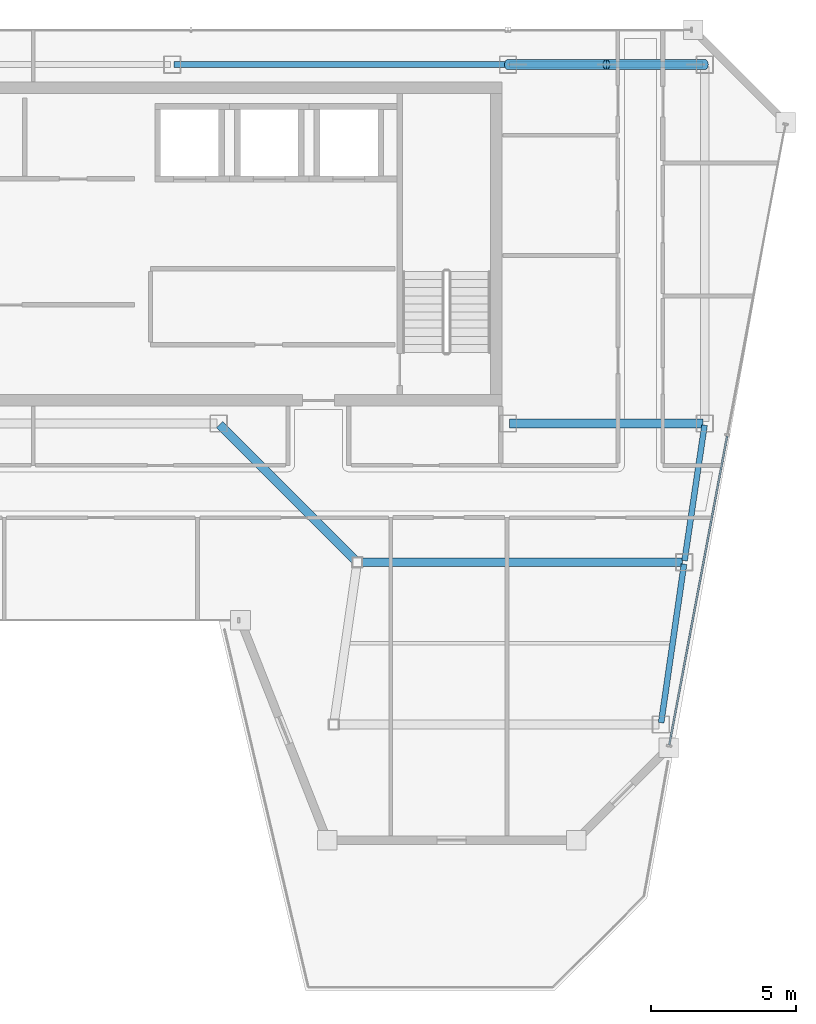
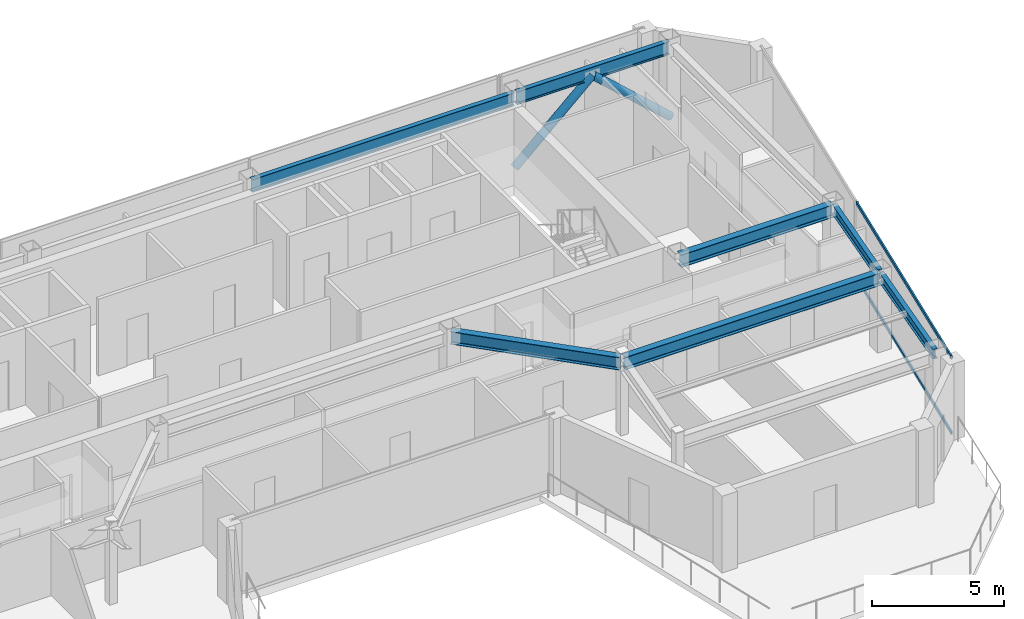
# One storey, part 10 of 25: 7 beams, 4 members, 1 element without a shape of its own.
"""IFC4 building model written with IfcOpenShell, lengths in metres."""

from ifc_helpers import new_model, si_unit, direction, frame, origin, origin_2d, place, context, subcontext, project, spatial, hollow_rectangle, hollow_circle, i_section, extrude, material, material_profile, profile_set, type_object, element, aggregate, save


model = new_model("IFC4")

# Units and contexts
model_context = context("Model", 3, precision=1e-05, world=origin(), true_north=direction((0.0, 1.0)))
body_context = subcontext(model_context, "Body", "Model", "MODEL_VIEW")
ifc_project = project(units=[si_unit("LENGTHUNIT", "METRE"), si_unit("AREAUNIT", "SQUARE_METRE"), si_unit("VOLUMEUNIT", "CUBIC_METRE"), si_unit("PLANEANGLEUNIT", "RADIAN"), si_unit("MASSUNIT", "GRAM", prefix="KILO")], contexts=[model_context])

# Site, building, storey
site_placement = place(None, origin())
site = spatial("IfcSite", under=ifc_project, at=site_placement, CompositionType="ELEMENT")
building_placement = place(site_placement, origin())
building = spatial("IfcBuilding", under=site, at=building_placement, Name="Saevonmaru Cultural Tower", CompositionType="ELEMENT")
storey_placement = place(building_placement, frame((0.0, 0.0, 276.199951171875)))
storey = spatial("IfcBuildingStorey", under=building, at=storey_placement, Name="L65", CompositionType="ELEMENT", Elevation=276.199951171875)

# Beams
ifc_material_1 = material(Name="Steel SM355", Category="steel")
ifc_material_profile_1 = material_profile(ifc_material_1, i_section(OverallWidth=0.300048828125, OverallDepth=0.587890625, WebThickness=0.011962890625, FlangeThickness=0.02001953125, FilletRadius=0.02392578125, at=origin_2d()), Name="H-588x300x12x20")
ifc_profile_set_1 = profile_set([ifc_material_profile_1], Name="Steel SM355")
beam_type_1 = type_object("IfcBeamType", Name="BM-G-H588", PredefinedType="BEAM", material=ifc_profile_set_1)
beam_1_placement = place(storey_placement, frame((46.4599609375, 42.39990234375, 3.256103515625), z_axis=(1.0, 0.0, 0.0), x_axis=(0.0, 1.0, 0.0)))
element("IfcBeam", 1, at=beam_1_placement, inside=storey, type_object=beam_type_1, Name="L65 Core South Girder 5", PredefinedType="BEAM", context=body_context, shape_type="SweptSolid", body=[
    extrude(i_section(OverallWidth=0.300048828125, OverallDepth=0.587890625, WebThickness=0.011962890625, FlangeThickness=0.02001953125, FilletRadius=0.02392578125, at=origin_2d()), origin(), (0.0, 0.0, 1.0), 6.679931640625),
])
beam_2_placement = place(storey_placement, frame((41.149658203125, 37.642578125, 3.256103515625), z_axis=(-0.706538566564, 0.707674539572, 0.0), x_axis=(-0.707674539572, -0.706538566564, 0.0)))
element("IfcBeam", 2, at=beam_2_placement, inside=storey, type_object=beam_type_1, Name="L65 East Atrium Girder 2", PredefinedType="BEAM", context=body_context, shape_type="SweptSolid", body=[
    extrude(i_section(OverallWidth=0.300048828125, OverallDepth=0.587890625, WebThickness=0.011962890625, FlangeThickness=0.02001953125, FilletRadius=0.02392578125, at=origin_2d()), origin(), (0.0, 0.0, 1.0), 6.662353515625),
])
beam_3_placement = place(storey_placement, frame((41.251953125, 37.60009765625, 3.256103515625), z_axis=(1.0, 0.0, 0.0), x_axis=(0.0, 1.0, 0.0)))
element("IfcBeam", 3, at=beam_3_placement, inside=storey, type_object=beam_type_1, Name="L65 East Wing Transverse Girder 2", PredefinedType="BEAM", context=body_context, shape_type="SweptSolid", body=[
    extrude(i_section(OverallWidth=0.300048828125, OverallDepth=0.587890625, WebThickness=0.011962890625, FlangeThickness=0.02001953125, FilletRadius=0.02392578125, at=origin_2d()), origin(), (0.0, 0.0, 1.0), 11.179931640625),
])
ifc_material_profile_2 = material_profile(ifc_material_1, i_section(OverallWidth=0.199951171875, OverallDepth=0.449951171875, WebThickness=0.009033203125, FlangeThickness=0.013916015625, FilletRadius=0.01806640625, at=origin_2d()), Name="H-450x200x9x14")
ifc_profile_set_2 = profile_set([ifc_material_profile_2], Name="Steel SM355")
beam_type_2 = type_object("IfcBeamType", Name="BM-SP-H450", PredefinedType="SPANDREL", material=ifc_profile_set_2)
beam_4_placement = place(storey_placement, frame((51.691650390625, 32.059326171875, 3.324951171875), z_axis=(0.142964121327, 0.989727871697, 0.0), x_axis=(-0.989727871697, 0.142964121327, 0.0)))
element("IfcBeam", 4, at=beam_4_placement, inside=storey, type_object=beam_type_2, Name="L65 East Splayed Spandrel 1", PredefinedType="SPANDREL", context=body_context, shape_type="SweptSolid", body=[
    extrude(i_section(OverallWidth=0.199951171875, OverallDepth=0.449951171875, WebThickness=0.009033203125, FlangeThickness=0.013916015625, FilletRadius=0.01806640625, at=origin_2d()), origin(), (0.0, 0.0, 1.0), 5.5380859375),
])
beam_5_placement = place(storey_placement, frame((52.500732421875, 37.659423828125, 3.324951171875), z_axis=(0.145912860028, 0.989297446312, 0.0), x_axis=(-0.989297446312, 0.145912860028, 0.0)))
element("IfcBeam", 5, at=beam_5_placement, inside=storey, type_object=beam_type_2, Name="L65 East Splayed Spandrel 2", PredefinedType="SPANDREL", context=body_context, shape_type="SweptSolid", body=[
    extrude(i_section(OverallWidth=0.199951171875, OverallDepth=0.449951171875, WebThickness=0.009033203125, FlangeThickness=0.013916015625, FilletRadius=0.01806640625, at=origin_2d()), origin(), (0.0, 0.0, 1.0), 4.731689453125),
])
ifc_material_profile_3 = material_profile(ifc_material_1, i_section(OverallWidth=0.199951171875, OverallDepth=0.60009765625, WebThickness=0.010986328125, FlangeThickness=0.01708984375, FilletRadius=0.02197265625, at=origin_2d()), Name="H-600x200x11x17")
ifc_profile_set_3 = profile_set([ifc_material_profile_3], Name="Steel SM355")
beam_type_3 = type_object("IfcBeamType", Name="BM-SP-H600", PredefinedType="SPANDREL", material=ifc_profile_set_3)
beam_6_placement = place(storey_placement, frame((34.860107421875, 54.800048828125, 3.25), z_axis=(1.0, 0.0, 0.0), x_axis=(0.0, 1.0, 0.0)))
element("IfcBeam", 6, at=beam_6_placement, inside=storey, type_object=beam_type_3, Name="L65 North Spine Girder 4", PredefinedType="SPANDREL", context=body_context, shape_type="SweptSolid", body=[
    extrude(i_section(OverallWidth=0.199951171875, OverallDepth=0.60009765625, WebThickness=0.010986328125, FlangeThickness=0.01708984375, FilletRadius=0.02197265625, at=origin_2d()), origin(), (0.0, 0.0, 1.0), 11.47998046875),
])
beam_7_placement = place(storey_placement, frame((46.4599609375, 54.800048828125, 3.25), z_axis=(1.0, 0.0, 0.0), x_axis=(0.0, 1.0, 0.0)))
element("IfcBeam", 7, at=beam_7_placement, inside=storey, type_object=beam_type_3, Name="L65 North Spine Girder 5", PredefinedType="SPANDREL", context=body_context, shape_type="SweptSolid", body=[
    extrude(i_section(OverallWidth=0.199951171875, OverallDepth=0.60009765625, WebThickness=0.010986328125, FlangeThickness=0.01708984375, FilletRadius=0.02197265625, at=origin_2d()), origin(), (0.0, 0.0, 1.0), 6.679931640625),
])

# Members
ifc_material_profile_4 = material_profile(ifc_material_1, hollow_circle(Radius=0.177734375, WallThickness=0.01611328125, at=origin_2d()), Name="CHS-355.6x16")
ifc_profile_set_4 = profile_set([ifc_material_profile_4], Name="Steel SM355")
member_type_1 = type_object("IfcMemberType", Name="MB-PBR-CHS356", PredefinedType="BRACE", material=ifc_profile_set_4)
member_1_placement = place(storey_placement, frame((46.39990234375, 54.800048828125, 0.02001953125), z_axis=(0.738959728749, 0.0, 0.673749596873), x_axis=(0.0, 1.0, 0.0)))
element("IfcMember", 8, at=member_1_placement, inside=storey, type_object=member_type_1, Name="L65 Perimeter Braced-Tube Diagonal EN1", PredefinedType="BRACE", context=body_context, shape_type="SweptSolid", body=[
    extrude(hollow_circle(Radius=0.177734375, WallThickness=0.01611328125, at=origin_2d()), origin(), (0.0, 0.0, 1.0), 4.601318359375),
])
member_2_placement = place(storey_placement, frame((53.199951171875, 54.800048828125, 0.02001953125), z_axis=(-0.738935641579, 0.0, 0.673776014417), x_axis=(0.0, -1.0, 0.0)))
element("IfcMember", 9, at=member_2_placement, inside=storey, type_object=member_type_1, Name="L65 Perimeter Braced-Tube Diagonal EN2", PredefinedType="BRACE", context=body_context, shape_type="SweptSolid", body=[
    extrude(hollow_circle(Radius=0.177734375, WallThickness=0.01611328125, at=origin_2d()), origin(), (0.0, 0.0, 1.0), 4.60107421875),
])

# Curtain wall, members
ifc_material_2 = material(Name="Satin Bronze Anodised Aluminium", Category="aluminium")
curtain_wall_type = type_object("IfcCurtainWallType", Name="CW-TYP-B", PredefinedType="NOTDEFINED", material=ifc_material_2)
curtain_wall_placement = place(storey_placement, origin())
curtain_wall = element("IfcCurtainWall", 10, at=curtain_wall_placement, inside=storey, type_object=curtain_wall_type, Name="L65 Unitised Curtain Wall E8", PredefinedType="NOTDEFINED")
ifc_material_profile_5 = material_profile(ifc_material_2, hollow_rectangle(XDim=0.06494140625, YDim=0.14990234375, WallThickness=0.00390625, at=origin_2d()), Name="ALU-TRAN-150x65x4")
ifc_profile_set_5 = profile_set([ifc_material_profile_5], Name="Satin Bronze Anodised Aluminium")
member_type_2 = type_object("IfcMemberType", Name="TR-CW-150x65", PredefinedType="USERDEFINED", material=ifc_profile_set_5)
member_3_placement = place(storey_placement, frame((51.97265625, 31.291015625, 0.032470703125), z_axis=(0.184051053742, 0.982916684982, 0.0), x_axis=(-0.982916684982, 0.184051053742, 0.0)))
member_3 = element("IfcMember", 11, at=member_3_placement, type_object=member_type_2, Name="CW-TW-L65-E8 transom 1.1", ObjectType="TRANSOM", PredefinedType="USERDEFINED", context=body_context, shape_type="SweptSolid", body=[
    extrude(hollow_rectangle(XDim=0.06494140625, YDim=0.14990234375, WallThickness=0.00390625, at=origin_2d()), origin(), (0.0, 0.0, 1.0), 10.862548828125),
])
member_4_placement = place(storey_placement, frame((51.97265625, 31.291015625, 3.517578125), z_axis=(0.184051053742, 0.982916684982, 0.0), x_axis=(-0.982916684982, 0.184051053742, 0.0)))
member_4 = element("IfcMember", 12, at=member_4_placement, type_object=member_type_2, Name="CW-TW-L65-E8 transom 1.2", ObjectType="TRANSOM", PredefinedType="USERDEFINED", context=body_context, shape_type="SweptSolid", body=[
    extrude(hollow_rectangle(XDim=0.06494140625, YDim=0.14990234375, WallThickness=0.00390625, at=origin_2d()), origin(), (0.0, 0.0, 1.0), 10.862548828125),
])
aggregate(curtain_wall, [member_3, member_4])

save(model, "model.ifc")
